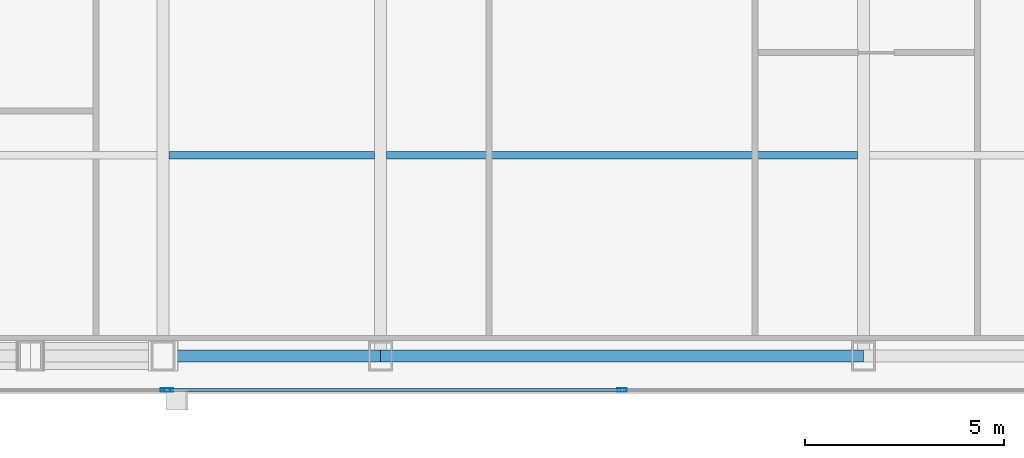
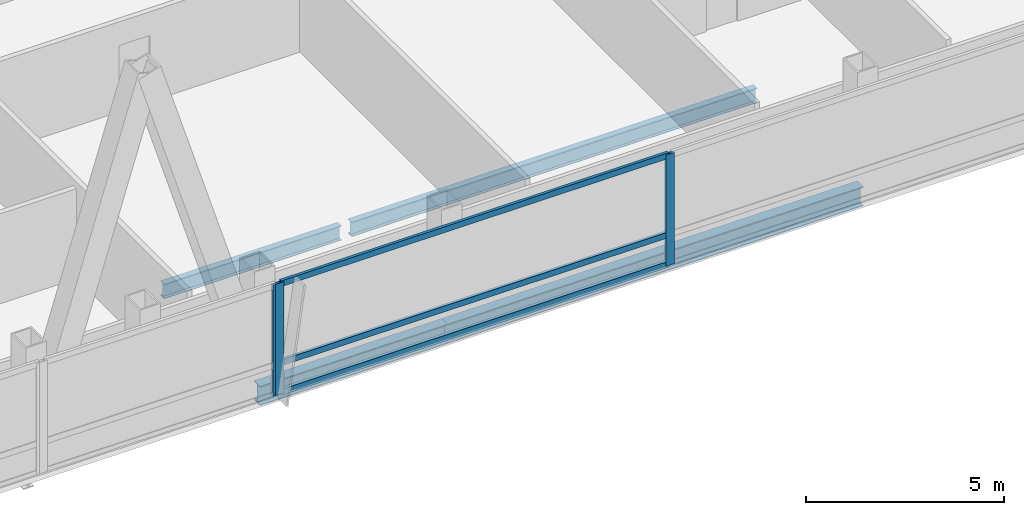
# One storey, part 8 of 30: 6 members, 4 beams, 2 elements without a shape of their own.
"""IFC4 building model written with IfcOpenShell, lengths in metres."""

from ifc_helpers import new_model, si_unit, direction, frame, origin, origin_2d, place, context, subcontext, project, spatial, hollow_rectangle, i_section, extrude, material, material_profile, profile_set, type_object, element, aggregate, save


model = new_model("IFC4")

# Units and contexts
model_context = context("Model", 3, precision=1e-05, world=origin(), true_north=direction((0.0, 1.0)))
body_context = subcontext(model_context, "Body", "Model", "MODEL_VIEW")
ifc_project = project(units=[si_unit("LENGTHUNIT", "METRE"), si_unit("AREAUNIT", "SQUARE_METRE"), si_unit("VOLUMEUNIT", "CUBIC_METRE"), si_unit("PLANEANGLEUNIT", "RADIAN"), si_unit("MASSUNIT", "GRAM", prefix="KILO")], contexts=[model_context])

# Site, building, storey
site_placement = place(None, origin())
site = spatial("IfcSite", under=ifc_project, at=site_placement, CompositionType="ELEMENT")
building_placement = place(site_placement, origin())
building = spatial("IfcBuilding", under=site, at=building_placement, Name="Khoronbel Lancet Exchange", CompositionType="ELEMENT")
storey_placement = place(building_placement, frame((0.0, 0.0, 239.0)))
storey = spatial("IfcBuildingStorey", under=building, at=storey_placement, Name="L61", CompositionType="ELEMENT", Elevation=239.0)

# Beams
ifc_material_1 = material(Name="Steel S355", Category="steel")
ifc_material_profile_1 = material_profile(ifc_material_1, i_section(OverallWidth=0.18994140625, OverallDepth=0.449951171875, WebThickness=0.009521484375, FlangeThickness=0.0146484375, at=origin_2d()), Name="IPE 450")
ifc_profile_set_1 = profile_set([ifc_material_profile_1], Name="Steel S355")
beam_type_1 = type_object("IfcBeamType", Name="BM-BJ4", PredefinedType="JOIST", material=ifc_profile_set_1)
beam_1_placement = place(storey_placement, frame((25.050048828125, 15.199951171875, -0.385009765625), z_axis=(1.0, 0.0, 0.0), x_axis=(0.0, 1.0, 0.0)))
element("IfcBeam", 1, at=beam_1_placement, inside=storey, type_object=beam_type_1, Name="Level L61 secondary composite joist J02", PredefinedType="JOIST", context=body_context, shape_type="SweptSolid", body=[
    extrude(i_section(OverallWidth=0.18994140625, OverallDepth=0.449951171875, WebThickness=0.009521484375, FlangeThickness=0.0146484375, at=origin_2d()), origin(), (0.0, 0.0, 1.0), 5.175048828125),
])
beam_2_placement = place(storey_placement, frame((30.52490234375, 15.199951171875, -0.385009765625), z_axis=(1.0, 0.0, 0.0), x_axis=(0.0, 1.0, 0.0)))
element("IfcBeam", 2, at=beam_2_placement, inside=storey, type_object=beam_type_1, Name="Level L61 secondary composite joist J03", PredefinedType="JOIST", context=body_context, shape_type="SweptSolid", body=[
    extrude(i_section(OverallWidth=0.18994140625, OverallDepth=0.449951171875, WebThickness=0.009521484375, FlangeThickness=0.0146484375, at=origin_2d()), origin(), (0.0, 0.0, 1.0), 11.85009765625),
])
ifc_material_profile_2 = material_profile(ifc_material_1, i_section(OverallWidth=0.300048828125, OverallDepth=0.60009765625, WebThickness=0.015380859375, FlangeThickness=0.030029296875, at=origin_2d()), Name="HEB 600")
ifc_profile_set_2 = profile_set([ifc_material_profile_2], Name="Steel S355")
beam_type_2 = type_object("IfcBeamType", Name="BM-BSP2", PredefinedType="SPANDREL", material=ifc_profile_set_2)
beam_3_placement = place(storey_placement, frame((24.89990234375, 10.14990234375, -0.4599609375), z_axis=(1.0, 0.0, 0.0), x_axis=(0.0, 1.0, 0.0)))
element("IfcBeam", 3, at=beam_3_placement, inside=storey, type_object=beam_type_2, Name="Level L61 perimeter spandrel beam SP03", PredefinedType="SPANDREL", context=body_context, shape_type="SweptSolid", body=[
    extrude(i_section(OverallWidth=0.300048828125, OverallDepth=0.60009765625, WebThickness=0.015380859375, FlangeThickness=0.030029296875, at=origin_2d()), origin(), (0.0, 0.0, 1.0), 5.47509765625),
])
beam_4_placement = place(storey_placement, frame((30.375, 10.14990234375, -0.4599609375), z_axis=(1.0, 0.0, 0.0), x_axis=(0.0, 1.0, 0.0)))
element("IfcBeam", 4, at=beam_4_placement, inside=storey, type_object=beam_type_2, Name="Level L61 perimeter spandrel beam SP04", PredefinedType="SPANDREL", context=body_context, shape_type="SweptSolid", body=[
    extrude(i_section(OverallWidth=0.300048828125, OverallDepth=0.60009765625, WebThickness=0.015380859375, FlangeThickness=0.030029296875, at=origin_2d()), origin(), (0.0, 0.0, 1.0), 12.14990234375),
])

# Curtain wall, member
ifc_material_2 = material(Name="Low-E Solar Control Insulating Glass", Category="glass")
curtain_wall_type = type_object("IfcCurtainWallType", Name="CW-3", PredefinedType="NOTDEFINED", material=ifc_material_2)
curtain_wall_1_placement = place(storey_placement, origin())
curtain_wall_1 = element("IfcCurtainWall", 5, at=curtain_wall_1_placement, inside=storey, type_object=curtain_wall_type, Name="Unitised curtain wall CW-L61-SWB", PredefinedType="NOTDEFINED")
ifc_material_3 = material(Name="Bronze-Anodised Aluminium 6063-T6", Category="aluminium")
ifc_material_profile_3 = material_profile(ifc_material_3, hollow_rectangle(XDim=0.0849609375, YDim=0.239990234375, WallThickness=0.006103515625, at=origin_2d()), Name="ALU MULLION 85x240")
ifc_profile_set_3 = profile_set([ifc_material_profile_3], Name="Bronze-Anodised Aluminium 6063-T6")
member_type_1 = type_object("IfcMemberType", Name="MEM-CWM1", PredefinedType="MULLION", material=ifc_profile_set_3)
member_1_placement = place(storey_placement, frame((24.95751953125, 9.2900390625, 0.0), z_axis=(0.0, 0.0, 1.0), x_axis=(0.0, 1.0, 0.0)))
member_1 = element("IfcMember", 6, at=member_1_placement, type_object=member_type_1, Name="CW3 mullion 2", PredefinedType="MULLION", context=body_context, shape_type="SweptSolid", body=[
    extrude(hollow_rectangle(XDim=0.0849609375, YDim=0.239990234375, WallThickness=0.006103515625, at=origin_2d()), origin(), (0.0, 0.0, 1.0), 3.43994140625),
])
aggregate(curtain_wall_1, [member_1])

# Curtain wall, members
curtain_wall_2_placement = place(storey_placement, origin())
curtain_wall_2 = element("IfcCurtainWall", 7, at=curtain_wall_2_placement, inside=storey, type_object=curtain_wall_type, Name="Unitised curtain wall CW-L61-SCV", PredefinedType="NOTDEFINED")
member_2_placement = place(storey_placement, frame((25.04248046875, 9.2900390625, 0.0), z_axis=(0.0, 0.0, 1.0), x_axis=(0.0, 1.0, 0.0)))
member_2 = element("IfcMember", 8, at=member_2_placement, type_object=member_type_1, Name="CW3 mullion 1", PredefinedType="MULLION", context=body_context, shape_type="SweptSolid", body=[
    extrude(hollow_rectangle(XDim=0.0849609375, YDim=0.239990234375, WallThickness=0.006103515625, at=origin_2d()), origin(), (0.0, 0.0, 1.0), 3.43994140625),
])
member_3_placement = place(storey_placement, frame((36.449951171875, 9.2900390625, 0.0), z_axis=(0.0, 0.0, 1.0), x_axis=(0.0, 1.0, 0.0)))
member_3 = element("IfcMember", 9, at=member_3_placement, type_object=member_type_1, Name="CW3 mullion 2", PredefinedType="MULLION", context=body_context, shape_type="SweptSolid", body=[
    extrude(hollow_rectangle(XDim=0.0849609375, YDim=0.239990234375, WallThickness=0.006103515625, at=origin_2d()), origin(), (0.0, 0.0, 1.0), 3.43994140625),
])
ifc_material_profile_4 = material_profile(ifc_material_3, hollow_rectangle(XDim=0.0849609375, YDim=0.179931640625, WallThickness=0.0048828125, at=origin_2d()), Name="ALU TRANSOM 85x180")
ifc_profile_set_4 = profile_set([ifc_material_profile_4], Name="Bronze-Anodised Aluminium 6063-T6")
member_type_2 = type_object("IfcMemberType", Name="MEM-CWT1", PredefinedType="USERDEFINED", material=ifc_profile_set_4)
member_4_placement = place(storey_placement, frame((25.0849609375, 9.2900390625, 0.04248046875), z_axis=(1.0, 0.0, 0.0), x_axis=(0.0, 1.0, 0.0)))
member_4 = element("IfcMember", 10, at=member_4_placement, type_object=member_type_2, Name="CW3 transom 1.1", ObjectType="TRANSOM", PredefinedType="USERDEFINED", context=body_context, shape_type="SweptSolid", body=[
    extrude(hollow_rectangle(XDim=0.0849609375, YDim=0.179931640625, WallThickness=0.0048828125, at=origin_2d()), origin(), (0.0, 0.0, 1.0), 11.322509765625),
])
member_5_placement = place(storey_placement, frame((25.0849609375, 9.2900390625, 0.949951171875), z_axis=(1.0, 0.0, 0.0), x_axis=(0.0, 1.0, 0.0)))
member_5 = element("IfcMember", 11, at=member_5_placement, type_object=member_type_2, Name="CW3 transom 1.2", ObjectType="TRANSOM", PredefinedType="USERDEFINED", context=body_context, shape_type="SweptSolid", body=[
    extrude(hollow_rectangle(XDim=0.0849609375, YDim=0.179931640625, WallThickness=0.0048828125, at=origin_2d()), origin(), (0.0, 0.0, 1.0), 11.322509765625),
])
member_6_placement = place(storey_placement, frame((25.0849609375, 9.2900390625, 3.3974609375), z_axis=(1.0, 0.0, 0.0), x_axis=(0.0, 1.0, 0.0)))
member_6 = element("IfcMember", 12, at=member_6_placement, type_object=member_type_2, Name="CW3 transom 1.3", ObjectType="TRANSOM", PredefinedType="USERDEFINED", context=body_context, shape_type="SweptSolid", body=[
    extrude(hollow_rectangle(XDim=0.0849609375, YDim=0.179931640625, WallThickness=0.0048828125, at=origin_2d()), origin(), (0.0, 0.0, 1.0), 11.322509765625),
])
aggregate(curtain_wall_2, [member_2, member_3, member_4, member_5, member_6])

save(model, "model.ifc")
